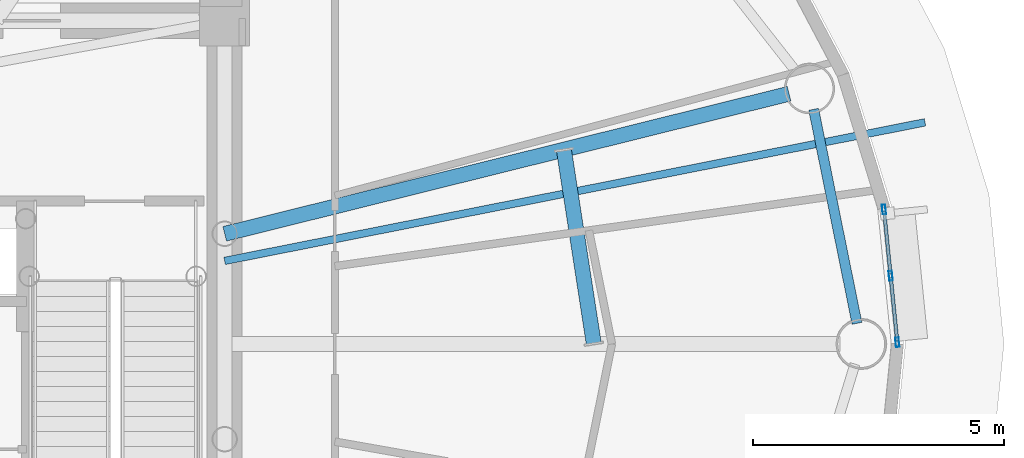
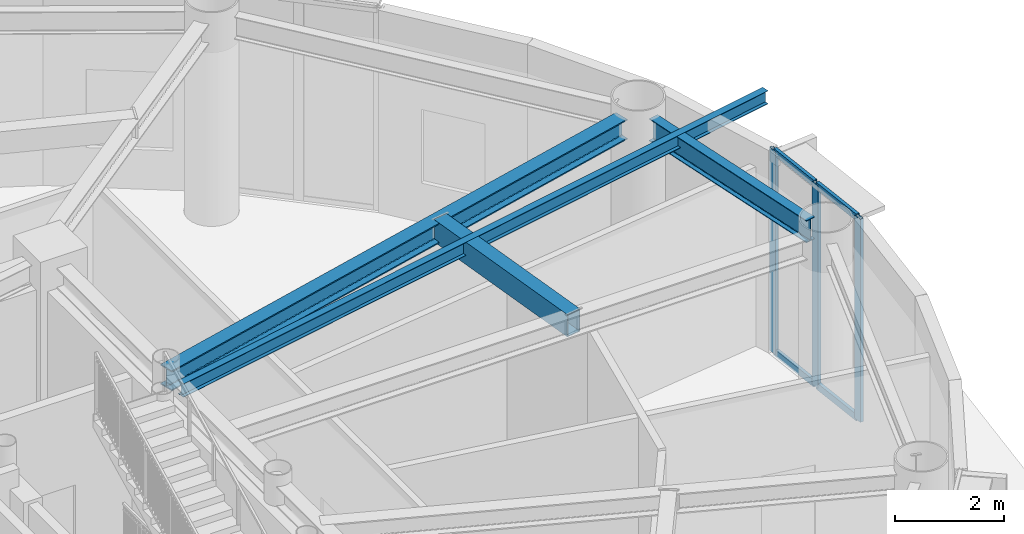
# One storey, part 16 of 32: 7 members, 4 beams, 1 element without a shape of its own.
"""IFC4 building model written with IfcOpenShell, lengths in metres."""

from ifc_helpers import new_model, si_unit, direction, frame, origin, origin_2d, place, context, subcontext, project, spatial, hollow_rectangle, i_section, extrude, source, transform, mapped, material, layer, layer_set, material_profile, profile_set, type_object, element, aggregate, save


model = new_model("IFC4")

# Units and contexts
model_context = context("Model", 3, precision=1e-05, world=origin(), true_north=direction((0.0, 1.0)))
body_context = subcontext(model_context, "Body", "Model", "MODEL_VIEW")
ifc_project = project(units=[si_unit("LENGTHUNIT", "METRE"), si_unit("AREAUNIT", "SQUARE_METRE"), si_unit("VOLUMEUNIT", "CUBIC_METRE"), si_unit("PLANEANGLEUNIT", "RADIAN"), si_unit("MASSUNIT", "GRAM", prefix="KILO")], contexts=[model_context])

# Site, building, storey
site_placement = place(None, origin())
site = spatial("IfcSite", under=ifc_project, at=site_placement, CompositionType="ELEMENT")
building_placement = place(site_placement, origin())
building = spatial("IfcBuilding", under=site, at=building_placement, Name="Linh Dai School and Residence Tower", CompositionType="ELEMENT")
storey_placement = place(building_placement, frame((0.0, 0.0, 268.199951171875)))
storey = spatial("IfcBuildingStorey", under=building, at=storey_placement, Name="L66", CompositionType="ELEMENT", Elevation=268.199951171875)

# Beams
ifc_material_1 = material(Name="Structural Steel S355JR", Category="steel")
ifc_material_profile_1 = material_profile(ifc_material_1, i_section(OverallWidth=0.14990234375, OverallDepth=0.300048828125, WebThickness=0.007080078125, FlangeThickness=0.0107421875, at=origin_2d()), Name="IPE 300")
ifc_profile_set_1 = profile_set([ifc_material_profile_1], Name="Structural Steel S355JR")
beam_type_1 = type_object("IfcBeamType", Name="BM-BALC-CANT", PredefinedType="BEAM", material=ifc_profile_set_1)
beam_1_placement = place(storey_placement, frame((44.85009765625, 28.657958984375, 4.400146484375), z_axis=(0.98098726072, 0.194072136859, 0.0), x_axis=(-0.194072136859, 0.98098726072, 0.0)))
element("IfcBeam", 1, at=beam_1_placement, inside=storey, type_object=beam_type_1, Name="L67 Balcony Continuous Cantilever Beam 02", PredefinedType="BEAM", context=body_context, shape_type="SweptSolid", body=[
    extrude(i_section(OverallWidth=0.14990234375, OverallDepth=0.300048828125, WebThickness=0.007080078125, FlangeThickness=0.0107421875, at=origin_2d()), origin(), (0.0, 0.0, 1.0), 14.244140625),
])
ifc_material_profile_2 = material_profile(ifc_material_1, hollow_rectangle(XDim=0.300048828125, YDim=0.5, WallThickness=0.01611328125, at=origin_2d()), Name="RHS 500x300x16")
ifc_profile_set_2 = profile_set([ifc_material_profile_2], Name="Structural Steel S355JR")
beam_type_2 = type_object("IfcBeamType", Name="BM-BX5", PredefinedType="BEAM", material=ifc_profile_set_2)
beam_2_placement = place(storey_placement, frame((52.21533203125, 27.0048828125, 4.300048828125), z_axis=(-0.15246970742, 0.988308144416, 0.0), x_axis=(-0.988308144416, -0.15246970742, 0.0)))
element("IfcBeam", 2, at=beam_2_placement, inside=storey, type_object=beam_type_2, Name="L66 Secondary Circumferential Floor Beam 01", PredefinedType="BEAM", context=body_context, shape_type="SweptSolid", body=[
    extrude(hollow_rectangle(XDim=0.300048828125, YDim=0.5, WallThickness=0.01611328125, at=origin_2d()), origin(), (0.0, 0.0, 1.0), 3.913330078125),
])
ifc_material_profile_3 = material_profile(ifc_material_1, i_section(OverallWidth=0.199951171875, OverallDepth=0.5, WebThickness=0.01025390625, FlangeThickness=0.01611328125, FilletRadius=0.02099609375, at=origin_2d()), Name="IPE 500")
ifc_profile_set_3 = profile_set([ifc_material_profile_3], Name="Structural Steel S355JR")
beam_type_3 = type_object("IfcBeamType", Name="BM-RB50", PredefinedType="BEAM", material=ifc_profile_set_3)
beam_3_placement = place(storey_placement, frame((57.466552734375, 27.41162109375, 4.300048828125), z_axis=(-0.198442801529, 0.980112470343, 0.0), x_axis=(-0.980112470343, -0.198442801529, 0.0)))
element("IfcBeam", 3, at=beam_3_placement, inside=storey, type_object=beam_type_3, Name="L66 Perimeter Elliptical Ring Beam 01", PredefinedType="BEAM", context=body_context, shape_type="SweptSolid", body=[
    extrude(i_section(OverallWidth=0.199951171875, OverallDepth=0.5, WebThickness=0.01025390625, FlangeThickness=0.01611328125, FilletRadius=0.02099609375, at=origin_2d()), origin(), (0.0, 0.0, 1.0), 4.357666015625),
])
ifc_material_profile_4 = material_profile(ifc_material_1, i_section(OverallWidth=0.300048828125, OverallDepth=0.449951171875, WebThickness=0.013916015625, FlangeThickness=0.02587890625, FilletRadius=0.027099609375, at=origin_2d()), Name="HEB 450")
ifc_profile_set_4 = profile_set([ifc_material_profile_4], Name="Structural Steel S355JR")
beam_type_4 = type_object("IfcBeamType", Name="BM-RG45", PredefinedType="BEAM", material=ifc_profile_set_4)
beam_4_placement = place(storey_placement, frame((44.85009765625, 29.197265625, 4.324951171875), z_axis=(0.970532368701, 0.240970789315, 0.0), x_axis=(-0.240970789315, 0.970532368701, 0.0)))
element("IfcBeam", 4, at=beam_4_placement, inside=storey, type_object=beam_type_4, Name="L66 Primary Radial Floor Girder 02", PredefinedType="BEAM", context=body_context, shape_type="SweptSolid", body=[
    extrude(i_section(OverallWidth=0.300048828125, OverallDepth=0.449951171875, WebThickness=0.013916015625, FlangeThickness=0.02587890625, FilletRadius=0.027099609375, at=origin_2d()), origin(), (0.0, 0.0, 1.0), 11.6025390625),
])

# Curtain wall, members
ifc_material_2 = material(Name="Aluminium Anodised Curtain Wall", Category="aluminium")
ifc_layer = layer(ifc_material_2, 0.18994140625)
ifc_layer_set = layer_set([ifc_layer], Name="Aluminium Anodised Curtain Wall")
curtain_wall_type = type_object("IfcCurtainWallType", Name="CW-SYS-5", PredefinedType="USERDEFINED", material=ifc_layer_set)
curtain_wall_placement = place(storey_placement, origin())
curtain_wall = element("IfcCurtainWall", 5, at=curtain_wall_placement, inside=storey, type_object=curtain_wall_type, Name="L66 CW5 Curtain Wall 01", ObjectType="UNITISED CURTAIN WALL", PredefinedType="USERDEFINED")
ifc_material_3 = material(Name="Aluminium Alloy 6063-T6", Category="aluminium")
ifc_material_profile_5 = material_profile(ifc_material_3, hollow_rectangle(XDim=0.070068359375, YDim=0.18994140625, WallThickness=0.00390625, at=origin_2d()), Name="RHS 190x70x4")
ifc_profile_set_5 = profile_set([ifc_material_profile_5], Name="Aluminium Alloy 6063-T6")
member_type_1 = type_object("IfcMemberType", Name="CW-SYS-5-MUL", PredefinedType="MULLION", material=ifc_profile_set_5)
shared_shape_1 = source(origin(), body_context, "Body", "SweptSolid", [
    extrude(hollow_rectangle(XDim=0.070068359375, YDim=0.18994140625, WallThickness=0.00390625, at=origin_2d()), origin(), (0.0, 0.0, 1.0), 4.550048828125),
])
member_1_placement = place(storey_placement, frame((58.005126953125, 29.684326171875, 0.0), z_axis=(0.0, 0.0, 1.0), x_axis=(0.994986629598, 0.100008034283, 0.0)))
member_1 = element("IfcMember", 6, at=member_1_placement, type_object=member_type_1, Name="CW5 mullion 1", PredefinedType="MULLION", context=body_context, shape_type="MappedRepresentation", body=[
    mapped(shared_shape_1, transform((0.0, 0.0, 0.0), x_axis=(1.0, 0.0, 0.0), y_axis=(0.0, 1.0, 0.0), z_axis=(0.0, 0.0, 1.0), scale=1.0)),
])
member_2_placement = place(storey_placement, frame((58.138427734375, 28.359619140625, 0.0), z_axis=(0.0, 0.0, 1.0), x_axis=(0.994986629598, 0.100008034283, 0.0)))
member_2 = element("IfcMember", 7, at=member_2_placement, type_object=member_type_1, Name="CW5 mullion 2", PredefinedType="MULLION", context=body_context, shape_type="MappedRepresentation", body=[
    mapped(shared_shape_1, transform((0.0, 0.0, 0.0), x_axis=(1.0, 0.0, 0.0), y_axis=(0.0, 1.0, 0.0), z_axis=(0.0, 0.0, 1.0), scale=1.0)),
])
member_3_placement = place(storey_placement, frame((58.271484375, 27.034912109375, 0.0), z_axis=(0.0, 0.0, 1.0), x_axis=(0.994986629598, 0.100008034283, 0.0)))
member_3 = element("IfcMember", 8, at=member_3_placement, type_object=member_type_1, Name="CW5 mullion 3", PredefinedType="MULLION", context=body_context, shape_type="MappedRepresentation", body=[
    mapped(shared_shape_1, transform((0.0, 0.0, 0.0), x_axis=(1.0, 0.0, 0.0), y_axis=(0.0, 1.0, 0.0), z_axis=(0.0, 0.0, 1.0), scale=1.0)),
])
ifc_material_profile_6 = material_profile(ifc_material_3, hollow_rectangle(XDim=0.070068359375, YDim=0.14990234375, WallThickness=0.00390625, at=origin_2d()), Name="RHS 150x70x4")
ifc_profile_set_6 = profile_set([ifc_material_profile_6], Name="Aluminium Alloy 6063-T6")
member_type_2 = type_object("IfcMemberType", Name="CW-SYS-5-TRN", PredefinedType="USERDEFINED", material=ifc_profile_set_6)
shared_shape_2 = source(origin(), body_context, "Body", "SweptSolid", [
    extrude(hollow_rectangle(XDim=0.070068359375, YDim=0.14990234375, WallThickness=0.00390625, at=origin_2d()), origin(), (0.0, 0.0, 1.0), 1.261474609375),
])
member_4_placement = place(storey_placement, frame((58.0087890625, 29.6494140625, 0.03515625), z_axis=(0.099867801744, -0.99500071466, 0.0), x_axis=(0.99500071466, 0.099867801744, 0.0)))
member_4 = element("IfcMember", 9, at=member_4_placement, type_object=member_type_2, Name="CW5 transom 1.1", ObjectType="TRANSOM", PredefinedType="USERDEFINED", context=body_context, shape_type="MappedRepresentation", body=[
    mapped(shared_shape_2, transform((0.0, 0.0, 0.0), x_axis=(1.0, 0.0, 0.0), y_axis=(0.0, 1.0, 0.0), z_axis=(0.0, 0.0, 1.0), scale=1.0)),
])
member_5_placement = place(storey_placement, frame((58.0087890625, 29.6494140625, 4.51513671875), z_axis=(0.099867801744, -0.99500071466, 0.0), x_axis=(0.99500071466, 0.099867801744, 0.0)))
member_5 = element("IfcMember", 10, at=member_5_placement, type_object=member_type_2, Name="CW5 transom 1.2", ObjectType="TRANSOM", PredefinedType="USERDEFINED", context=body_context, shape_type="MappedRepresentation", body=[
    mapped(shared_shape_2, transform((0.0, 0.0, 0.0), x_axis=(1.0, 0.0, 0.0), y_axis=(0.0, 1.0, 0.0), z_axis=(0.0, 0.0, 1.0), scale=1.0)),
])
member_6_placement = place(storey_placement, frame((58.141845703125, 28.32470703125, 0.03515625), z_axis=(0.100059408128, -0.994981464574, 0.0), x_axis=(0.994981464574, 0.100059408128, 0.0)))
member_6 = element("IfcMember", 11, at=member_6_placement, type_object=member_type_2, Name="CW5 transom 2.1", ObjectType="TRANSOM", PredefinedType="USERDEFINED", context=body_context, shape_type="MappedRepresentation", body=[
    mapped(shared_shape_2, transform((0.0, 0.0, 0.0), x_axis=(1.0, 0.0, 0.0), y_axis=(0.0, 1.0, 0.0), z_axis=(0.0, 0.0, 1.0), scale=1.0)),
])
member_7_placement = place(storey_placement, frame((58.141845703125, 28.32470703125, 4.51513671875), z_axis=(0.100059408128, -0.994981464574, 0.0), x_axis=(0.994981464574, 0.100059408128, 0.0)))
member_7 = element("IfcMember", 12, at=member_7_placement, type_object=member_type_2, Name="CW5 transom 2.2", ObjectType="TRANSOM", PredefinedType="USERDEFINED", context=body_context, shape_type="MappedRepresentation", body=[
    mapped(shared_shape_2, transform((0.0, 0.0, 0.0), x_axis=(1.0, 0.0, 0.0), y_axis=(0.0, 1.0, 0.0), z_axis=(0.0, 0.0, 1.0), scale=1.0)),
])
aggregate(curtain_wall, [member_1, member_2, member_3, member_4, member_5, member_6, member_7])

save(model, "model.ifc")
